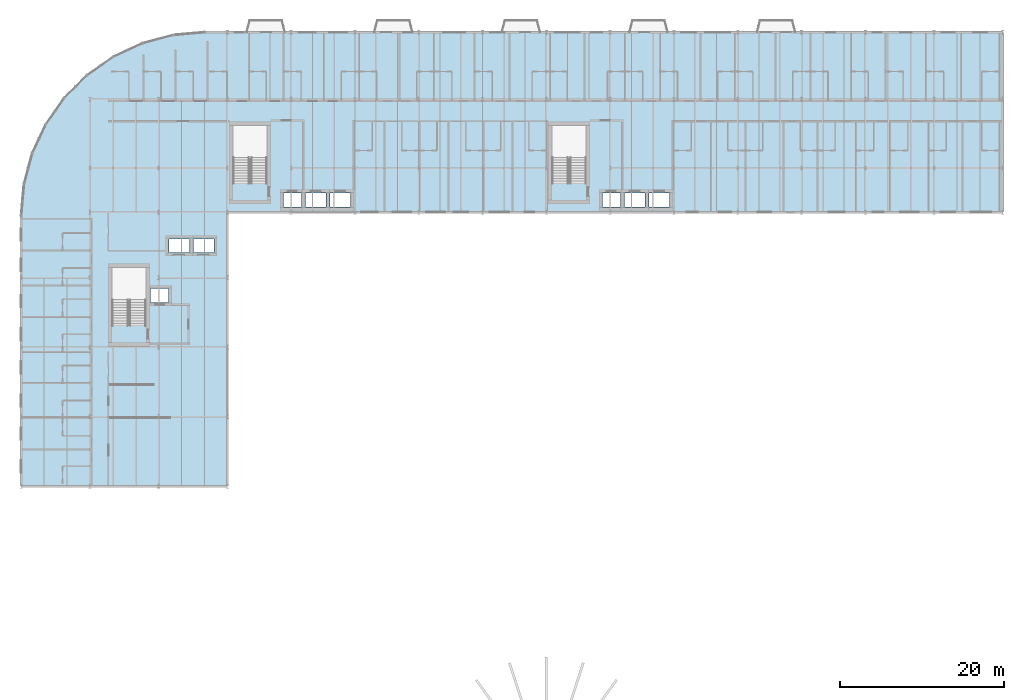
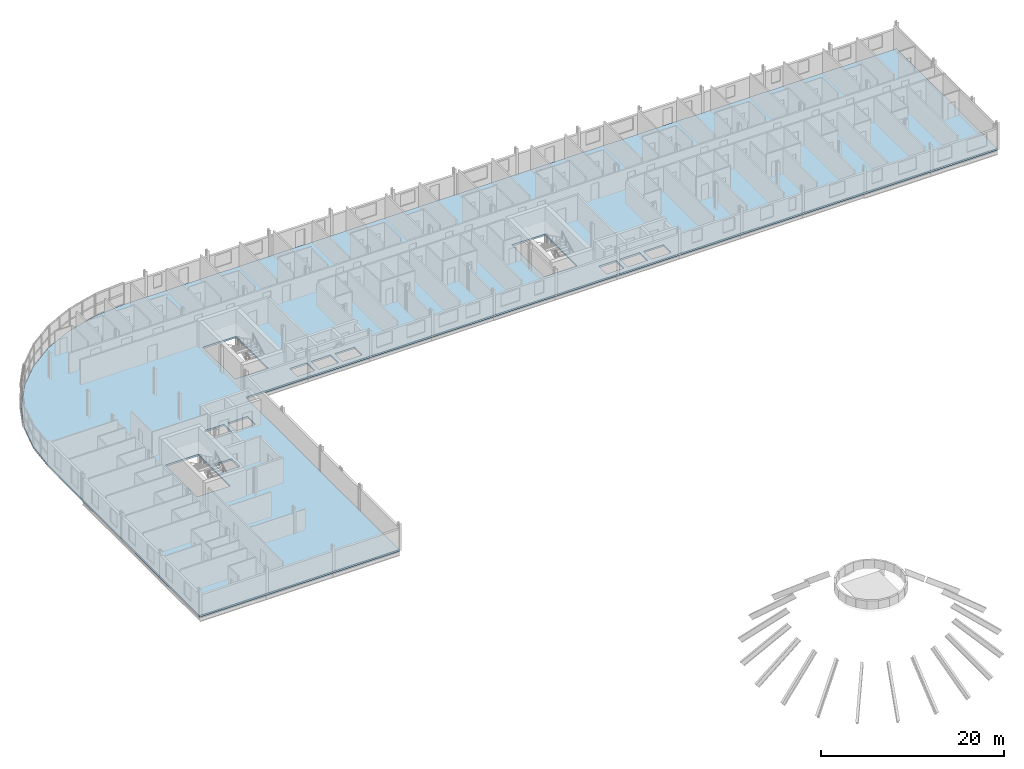
# One storey, part 14 of 34: 1 slab.
"""IFC4 building model written with IfcOpenShell, lengths in metres."""

from ifc_helpers import new_model, si_unit, direction, frame, origin, place, context, subcontext, project, spatial, polyline, outline, extrude, material, layer, layer_set, type_object, element, save


model = new_model("IFC4")

# Units and contexts
model_context = context("Model", 3, precision=1e-05, world=origin(), true_north=direction((0.0, 1.0)))
body_context = subcontext(model_context, "Body", "Model", "MODEL_VIEW")
ifc_project = project(units=[si_unit("LENGTHUNIT", "METRE"), si_unit("AREAUNIT", "SQUARE_METRE"), si_unit("VOLUMEUNIT", "CUBIC_METRE"), si_unit("PLANEANGLEUNIT", "RADIAN"), si_unit("MASSUNIT", "GRAM", prefix="KILO")], contexts=[model_context])

# Site, building, storey
site_placement = place(None, origin())
site = spatial("IfcSite", under=ifc_project, at=site_placement, CompositionType="ELEMENT")
building_placement = place(site_placement, origin())
building = spatial("IfcBuilding", under=site, at=building_placement, Name="Sefraquen Railside Congress Hotel", CompositionType="ELEMENT")
storey_placement = place(building_placement, frame((0.0, 0.0, 31.800048828125)))
storey = spatial("IfcBuildingStorey", under=building, at=storey_placement, Name="L07", CompositionType="ELEMENT", Elevation=31.800048828125)

# Slab
ifc_material = material(Name="Concrete C40/50", Category="concrete")
ifc_layer = layer(ifc_material, 0.239990234375)
ifc_layer_set = layer_set([ifc_layer], Name="Concrete C40/50")
slab_type = type_object("IfcSlabType", Name="TS-FS-240", PredefinedType="FLOOR", material=ifc_layer_set)
slab_placement = place(storey_placement, frame((0.0, 0.0, -0.239990234375)))
element("IfcSlab", 1, at=slab_placement, inside=storey, type_object=slab_type, Name="Hotel Wing L07 floor slab", PredefinedType="FLOOR", context=body_context, shape_type="SweptSolid", body=[
    extrude(outline(polyline([(0.0, 62.5), (25.199951171875, 62.5), (25.199951171875, 96.0), (120.0, 96.0), (120.0, 118.0), (22.5, 118.0), (18.593017578125, 117.658203125), (14.804443359375, 116.64306640625), (11.25, 114.985595703125), (8.037353515625, 112.736083984375), (5.263916015625, 109.962646484375), (3.014404296875, 106.75), (1.35693359375, 103.195556640625), (0.341796875, 99.406982421875), (0.0, 95.5), (0.0, 62.5)]), holes=[polyline([(11.10009765625, 82.219970703125), (15.260009765625, 82.219970703125), (15.260009765625, 89.2119140625), (11.10009765625, 89.2119140625), (11.10009765625, 82.219970703125)]), polyline([(25.89990234375, 99.6201171875), (30.06005859375, 99.6201171875), (30.06005859375, 106.612060546875), (25.89990234375, 106.612060546875), (25.89990234375, 99.6201171875)]), polyline([(64.89990234375, 99.6201171875), (69.06005859375, 99.6201171875), (69.06005859375, 106.612060546875), (64.89990234375, 106.612060546875), (64.89990234375, 99.6201171875)]), polyline([(15.830078125, 84.949951171875), (18.030029296875, 84.949951171875), (18.030029296875, 86.64990234375), (15.830078125, 86.64990234375), (15.830078125, 84.949951171875)]), polyline([(32.06005859375, 96.64990234375), (34.260009765625, 96.64990234375), (34.260009765625, 98.35009765625), (32.06005859375, 98.35009765625), (32.06005859375, 96.64990234375)]), polyline([(71.06005859375, 96.64990234375), (73.260009765625, 96.64990234375), (73.260009765625, 98.35009765625), (71.06005859375, 98.35009765625), (71.06005859375, 96.64990234375)]), polyline([(18.050048828125, 91.050048828125), (20.550048828125, 91.050048828125), (20.550048828125, 92.75), (18.050048828125, 92.75), (18.050048828125, 91.050048828125)]), polyline([(21.0400390625, 91.050048828125), (23.5400390625, 91.050048828125), (23.5400390625, 92.75), (21.0400390625, 92.75), (21.0400390625, 91.050048828125)]), polyline([(34.75, 96.64990234375), (37.25, 96.64990234375), (37.25, 98.35009765625), (34.75, 98.35009765625), (34.75, 96.64990234375)]), polyline([(37.739990234375, 96.64990234375), (40.239990234375, 96.64990234375), (40.239990234375, 98.35009765625), (37.739990234375, 98.35009765625), (37.739990234375, 96.64990234375)]), polyline([(73.75, 96.64990234375), (76.25, 96.64990234375), (76.25, 98.35009765625), (73.75, 98.35009765625), (73.75, 96.64990234375)]), polyline([(76.739990234375, 96.64990234375), (79.239990234375, 96.64990234375), (79.239990234375, 98.35009765625), (76.739990234375, 98.35009765625), (76.739990234375, 96.64990234375)])]), origin(), (0.0, 0.0, 1.0), 0.239990234375),
])

save(model, "model.ifc")
